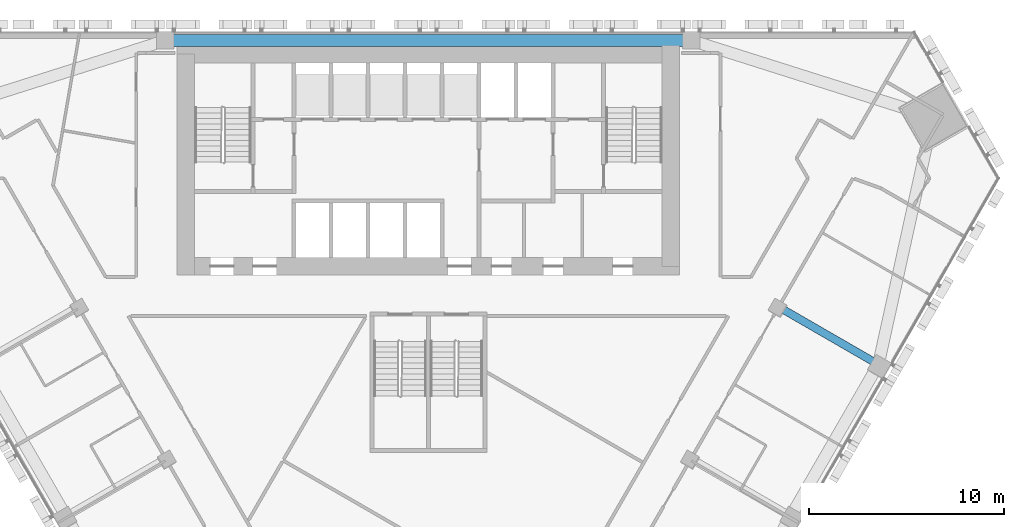
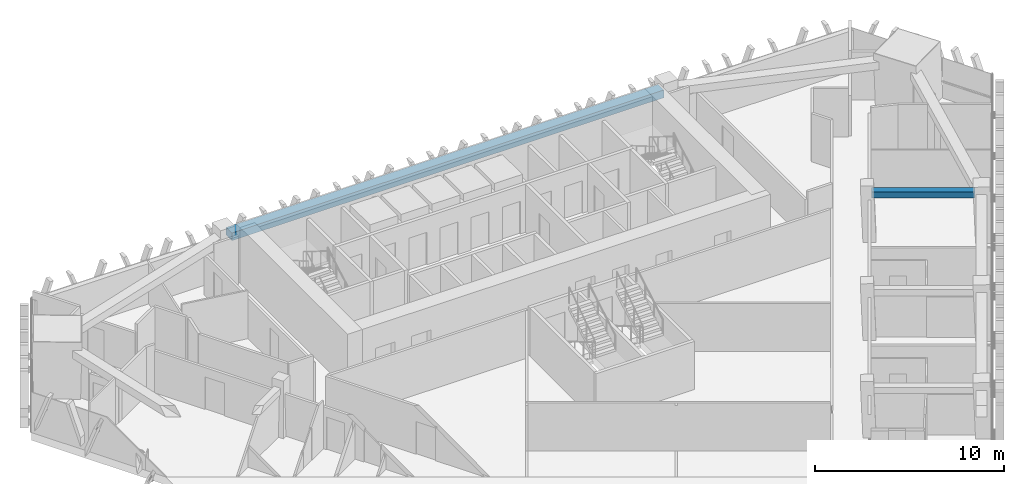
# One storey, part 6 of 16: 2 beams.
"""IFC4 building model written with IfcOpenShell, lengths in metres."""

from ifc_helpers import new_model, si_unit, direction, frame, origin, origin_2d, place, context, subcontext, project, spatial, rectangle, extrude, material, material_profile, profile_set, type_object, element, save


model = new_model("IFC4")

# Units and contexts
model_context = context("Model", 3, precision=1e-05, world=origin(), true_north=direction((0.0, 1.0)))
body_context = subcontext(model_context, "Body", "Model", "MODEL_VIEW")
ifc_project = project(units=[si_unit("LENGTHUNIT", "METRE"), si_unit("AREAUNIT", "SQUARE_METRE"), si_unit("VOLUMEUNIT", "CUBIC_METRE"), si_unit("PLANEANGLEUNIT", "RADIAN"), si_unit("MASSUNIT", "GRAM", prefix="KILO")], contexts=[model_context])

# Site, building, storey
site_placement = place(None, origin())
site = spatial("IfcSite", under=ifc_project, at=site_placement, CompositionType="ELEMENT")
building_placement = place(site_placement, origin())
building = spatial("IfcBuilding", under=site, at=building_placement, Name="Altiplano Prism Tower", CompositionType="ELEMENT")
storey_placement = place(building_placement, frame((0.0, 0.0, 88.199951171875)))
storey = spatial("IfcBuildingStorey", under=building, at=storey_placement, Name="L22", CompositionType="ELEMENT", Elevation=88.199951171875)

# Beams
ifc_material = material(Name="Concrete C60/75", Category="concrete")
ifc_material_profile_1 = material_profile(ifc_material, rectangle(XDim=0.60009765625, YDim=0.5, at=origin_2d()), Name="Edge beam 600x500")
ifc_profile_set_1 = profile_set([ifc_material_profile_1], Name="Concrete C60/75")
beam_type_1 = type_object("IfcBeamType", Name="Edge beam 600x500", PredefinedType="SPANDREL", material=ifc_profile_set_1)
beam_1_placement = place(storey_placement, frame((98.169921875, 104.550048828125, 2.85009765625), z_axis=(-1.0, 0.0, 0.0), x_axis=(0.0, -1.0, 0.0)))
element("IfcBeam", 1, at=beam_1_placement, inside=storey, type_object=beam_type_1, Name="Edge beam P01-P04 L23", PredefinedType="SPANDREL", context=body_context, shape_type="SweptSolid", body=[
    extrude(rectangle(XDim=0.60009765625, YDim=0.5, at=origin_2d()), origin(), (0.0, 0.0, 1.0), 26.33984375),
])
ifc_material_profile_2 = material_profile(ifc_material, rectangle(XDim=0.39990234375, YDim=0.39990234375, at=origin_2d()), Name="Tie beam 400x400")
ifc_profile_set_2 = profile_set([ifc_material_profile_2], Name="Concrete C60/75")
beam_type_2 = type_object("IfcBeamType", Name="Tie beam 400x400", PredefinedType="BEAM", material=ifc_profile_set_2)
beam_2_placement = place(storey_placement, frame((103.066650390625, 90.820068359375, 2.900146484375), z_axis=(0.866042665983, -0.499970099802, 0.0), x_axis=(0.499970099802, 0.866042665983, 0.0)))
element("IfcBeam", 2, at=beam_2_placement, inside=storey, type_object=beam_type_2, Name="Tie beam I24 L23", PredefinedType="BEAM", context=body_context, shape_type="SweptSolid", body=[
    extrude(rectangle(XDim=0.39990234375, YDim=0.39990234375, at=origin_2d()), origin(), (0.0, 0.0, 1.0), 5.489990234375),
])

save(model, "model.ifc")
